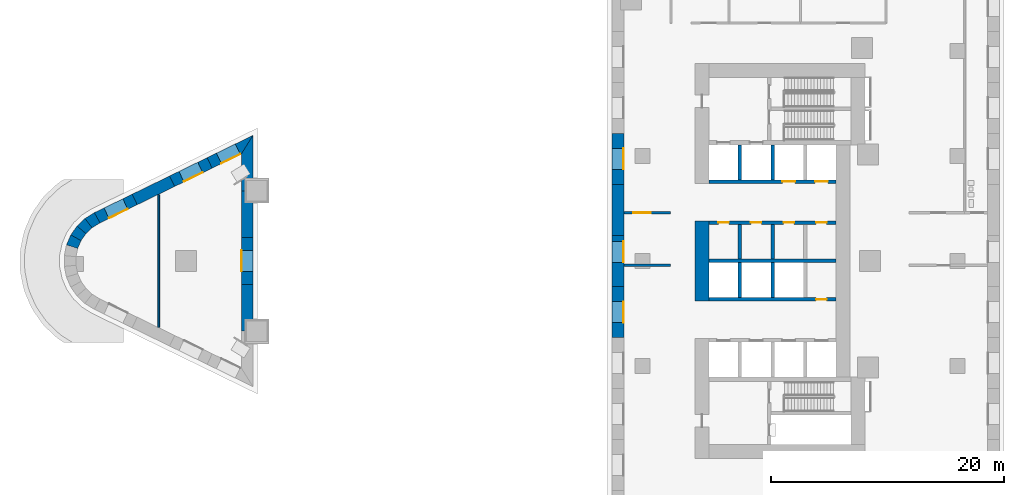
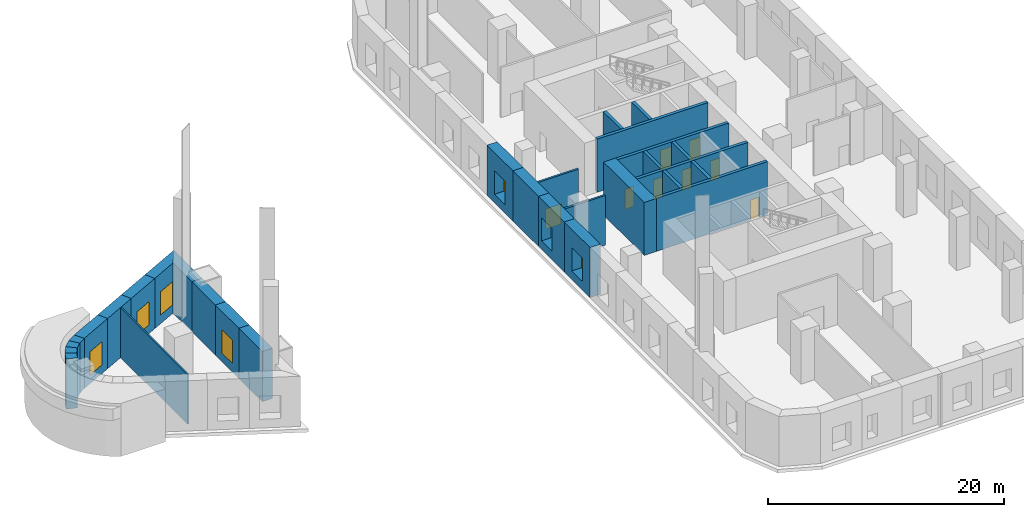
# One storey, part 3 of 12: 30 walls, 8 doors, 7 windows, 15 openings.
"""IFC4 building model written with IfcOpenShell, lengths in metres."""

from ifc_helpers import new_model, si_unit, direction, frame, frame_2d, origin, place, context, subcontext, project, spatial, polyline, rectangle, outline, extrude, material, layer, layer_set, type_object, element, fill, save


model = new_model("IFC4")

# Units and contexts
model_context = context("Model", 3, precision=1e-05, world=origin(), true_north=direction((0.0, 1.0)))
body_context = subcontext(model_context, "Body", "Model", "MODEL_VIEW")
ifc_project = project(units=[si_unit("LENGTHUNIT", "METRE"), si_unit("AREAUNIT", "SQUARE_METRE"), si_unit("VOLUMEUNIT", "CUBIC_METRE"), si_unit("PLANEANGLEUNIT", "RADIAN"), si_unit("MASSUNIT", "GRAM", prefix="KILO")], contexts=[model_context])

# Site, building, storey
site_placement = place(None, origin())
site = spatial("IfcSite", under=ifc_project, at=site_placement, CompositionType="ELEMENT")
building_placement = place(site_placement, origin())
building = spatial("IfcBuilding", under=site, at=building_placement, Name="Ostrand Prow Hotel Tower", CompositionType="ELEMENT")
storey_placement = place(building_placement, frame((0.0, 0.0, 8.0)))
storey = spatial("IfcBuildingStorey", under=building, at=storey_placement, Name="L01", CompositionType="ELEMENT", Elevation=8.0)

# Walls
ifc_material_1 = material(Name="Concrete C80/95", Category="concrete")
ifc_layer_1 = layer(ifc_material_1, 1.199951171875)
ifc_layer_set_1 = layer_set([ifc_layer_1], Name="Concrete C80/95")
wall_type_1 = type_object("IfcWallType", Name="Core wall 1200 C80/95", PredefinedType="SHEAR", material=ifc_layer_set_1)
wall_1_placement = place(storey_placement, frame((50.10009765625, -3.449951171875, 0.0), z_axis=(0.0, 0.0, 1.0), x_axis=(0.0, 1.0, 0.0)))
element("IfcWall", 1, at=wall_1_placement, inside=storey, type_object=wall_type_1, Name="Core wall CW-W-C", PredefinedType="SHEAR", context=body_context, shape_type="SweptSolid", body=[
    extrude(rectangle(XDim=6.89990234375, YDim=1.199951171875, at=frame_2d((3.449951171875, 0.0))), origin(), (0.0, 0.0, 1.0), 5.5),
])
ifc_material_2 = material(Name="Concrete C80/95", Category="concrete")
ifc_layer_2 = layer(ifc_material_2, 0.300048828125)
ifc_layer_set_2 = layer_set([ifc_layer_2], Name="Concrete C80/95")
wall_type_2 = type_object("IfcWallType", Name="Core wall 300 C80/95", PredefinedType="SHEAR", material=ifc_layer_set_2)
wall_2_placement = place(storey_placement, frame((50.699951171875, 0.0, 0.0), z_axis=(0.0, 0.0, 1.0), x_axis=(1.0, 0.0, 0.0)))
element("IfcWall", 2, at=wall_2_placement, inside=storey, type_object=wall_type_2, Name="Core wall PW-C", PredefinedType="SHEAR", context=body_context, shape_type="SweptSolid", body=[
    extrude(rectangle(XDim=10.900146484375, YDim=0.300048828125, at=frame_2d((5.4501953125, 0.0))), origin(), (0.0, 0.0, 1.0), 5.5),
])

# Wall, openings, doors
wall_3_placement = place(storey_placement, frame((50.699951171875, 3.300048828125, 0.0), z_axis=(0.0, 0.0, 1.0), x_axis=(1.0, 0.0, 0.0)))
wall_3 = element("IfcWall", 3, at=wall_3_placement, inside=storey, type_object=wall_type_2, Name="Core wall PW-L1-N", PredefinedType="SHEAR", context=body_context, shape_type="SweptSolid", body=[
    extrude(rectangle(XDim=10.900146484375, YDim=0.300048828125, at=frame_2d((5.4501953125, 0.0))), origin(), (0.0, 0.0, 1.0), 5.5),
])
opening_1_placement = place(wall_3_placement, frame((0.800048828125, 0.0, 0.0)))
opening_1 = element("IfcOpeningElement", 4, at=opening_1_placement, cuts=wall_3, Name="Opening FD2", PredefinedType="OPENING", context=body_context, shape_type="SweptSolid", body=[
    extrude(rectangle(XDim=0.89990234375, YDim=2.10009765625, at=frame_2d((0.449951171875, 1.050048828125))), frame((0.0, 0.159912109375, 0.0), z_axis=(0.0, -1.0, 0.0), x_axis=(1.0, 0.0, 0.0)), (0.0, 0.0, 1.0), 0.320068359375),
])
opening_2_placement = place(wall_3_placement, frame((3.60009765625, 0.0, 0.0)))
opening_2 = element("IfcOpeningElement", 5, at=opening_2_placement, cuts=wall_3, Name="Opening FD2", PredefinedType="OPENING", context=body_context, shape_type="SweptSolid", body=[
    extrude(rectangle(XDim=0.89990234375, YDim=2.10009765625, at=frame_2d((0.449951171875, 1.050048828125))), frame((0.0, 0.159912109375, 0.0), z_axis=(0.0, -1.0, 0.0), x_axis=(1.0, 0.0, 0.0)), (0.0, 0.0, 1.0), 0.320068359375),
])
opening_3_placement = place(wall_3_placement, frame((6.39990234375, 0.0, 0.0)))
opening_3 = element("IfcOpeningElement", 6, at=opening_3_placement, cuts=wall_3, Name="Opening FD2", PredefinedType="OPENING", context=body_context, shape_type="SweptSolid", body=[
    extrude(rectangle(XDim=0.89990234375, YDim=2.10009765625, at=frame_2d((0.449951171875, 1.050048828125))), frame((0.0, 0.159912109375, 0.0), z_axis=(0.0, -1.0, 0.0), x_axis=(1.0, 0.0, 0.0)), (0.0, 0.0, 1.0), 0.320068359375),
])
opening_4_placement = place(wall_3_placement, frame((9.199951171875, 0.0, 0.0)))
opening_4 = element("IfcOpeningElement", 7, at=opening_4_placement, cuts=wall_3, Name="Opening FD2", PredefinedType="OPENING", context=body_context, shape_type="SweptSolid", body=[
    extrude(rectangle(XDim=0.89990234375, YDim=2.10009765625, at=frame_2d((0.449951171875, 1.050048828125))), frame((0.0, 0.159912109375, 0.0), z_axis=(0.0, -1.0, 0.0), x_axis=(1.0, 0.0, 0.0)), (0.0, 0.0, 1.0), 0.320068359375),
])
ifc_material_3 = material(Name="Steel fire door", Category="steel")
door_type_1 = type_object("IfcDoorType", Name="Fire door 900 EI120", OperationType="SINGLE_SWING_LEFT", PredefinedType="DOOR", material=ifc_material_3)
door_1_placement = place(opening_1_placement, origin())
door_1 = element("IfcDoor", 8, at=door_1_placement, inside=storey, type_object=door_type_1, Name="DOOR", OperationType="SINGLE_SWING_LEFT", OverallHeight=2.10009765625, OverallWidth=0.89990234375, PredefinedType="DOOR", context=body_context, shape_type="SweptSolid", body=[
    extrude(rectangle(XDim=0.89990234375, YDim=2.10009765625, at=frame_2d((0.449951171875, 1.050048828125))), frame((0.0, 0.02490234375, 0.0), z_axis=(0.0, -1.0, 0.0), x_axis=(1.0, 0.0, 0.0)), (0.0, 0.0, 1.0), 0.050048828125),
])
fill(opening_1, door_1)
door_2_placement = place(opening_2_placement, origin())
door_2 = element("IfcDoor", 9, at=door_2_placement, inside=storey, type_object=door_type_1, Name="DOOR", OperationType="SINGLE_SWING_LEFT", OverallHeight=2.10009765625, OverallWidth=0.89990234375, PredefinedType="DOOR", context=body_context, shape_type="SweptSolid", body=[
    extrude(rectangle(XDim=0.89990234375, YDim=2.10009765625, at=frame_2d((0.449951171875, 1.050048828125))), frame((0.0, 0.02490234375, 0.0), z_axis=(0.0, -1.0, 0.0), x_axis=(1.0, 0.0, 0.0)), (0.0, 0.0, 1.0), 0.050048828125),
])
fill(opening_2, door_2)
door_3_placement = place(opening_3_placement, origin())
door_3 = element("IfcDoor", 10, at=door_3_placement, inside=storey, type_object=door_type_1, Name="DOOR", OperationType="SINGLE_SWING_LEFT", OverallHeight=2.10009765625, OverallWidth=0.89990234375, PredefinedType="DOOR", context=body_context, shape_type="SweptSolid", body=[
    extrude(rectangle(XDim=0.89990234375, YDim=2.10009765625, at=frame_2d((0.449951171875, 1.050048828125))), frame((0.0, 0.02490234375, 0.0), z_axis=(0.0, -1.0, 0.0), x_axis=(1.0, 0.0, 0.0)), (0.0, 0.0, 1.0), 0.050048828125),
])
fill(opening_3, door_3)
door_4_placement = place(opening_4_placement, origin())
door_4 = element("IfcDoor", 11, at=door_4_placement, inside=storey, type_object=door_type_1, Name="DOOR", OperationType="SINGLE_SWING_LEFT", OverallHeight=2.10009765625, OverallWidth=0.89990234375, PredefinedType="DOOR", context=body_context, shape_type="SweptSolid", body=[
    extrude(rectangle(XDim=0.89990234375, YDim=2.10009765625, at=frame_2d((0.449951171875, 1.050048828125))), frame((0.0, 0.02490234375, 0.0), z_axis=(0.0, -1.0, 0.0), x_axis=(1.0, 0.0, 0.0)), (0.0, 0.0, 1.0), 0.050048828125),
])
fill(opening_4, door_4)

wall_4_placement = place(storey_placement, frame((50.699951171875, 6.800048828125, 0.0), z_axis=(0.0, 0.0, 1.0), x_axis=(1.0, 0.0, 0.0)))
wall_4 = element("IfcWall", 12, at=wall_4_placement, inside=storey, type_object=wall_type_2, Name="Core wall PW-L2-N", PredefinedType="SHEAR", context=body_context, shape_type="SweptSolid", body=[
    extrude(rectangle(XDim=10.900146484375, YDim=0.300048828125, at=frame_2d((5.4501953125, 0.0))), origin(), (0.0, 0.0, 1.0), 5.5),
])
opening_5_placement = place(wall_4_placement, frame((6.300048828125, 0.0, 0.0)))
opening_5 = element("IfcOpeningElement", 13, at=opening_5_placement, cuts=wall_4, Name="Opening LD", PredefinedType="OPENING", context=body_context, shape_type="SweptSolid", body=[
    extrude(rectangle(XDim=1.10009765625, YDim=2.10009765625, at=frame_2d((0.550048828125, 1.050048828125))), frame((0.0, 0.159912109375, 0.0), z_axis=(0.0, -1.0, 0.0), x_axis=(1.0, 0.0, 0.0)), (0.0, 0.0, 1.0), 0.320068359375),
])
opening_6_placement = place(wall_4_placement, frame((9.10009765625, 0.0, 0.0)))
opening_6 = element("IfcOpeningElement", 14, at=opening_6_placement, cuts=wall_4, Name="Opening LD", PredefinedType="OPENING", context=body_context, shape_type="SweptSolid", body=[
    extrude(rectangle(XDim=1.10009765625, YDim=2.10009765625, at=frame_2d((0.550048828125, 1.050048828125))), frame((0.0, 0.159912109375, 0.0), z_axis=(0.0, -1.0, 0.0), x_axis=(1.0, 0.0, 0.0)), (0.0, 0.0, 1.0), 0.320068359375),
])
ifc_material_4 = material(Name="Stainless steel door", Category="steel")
door_type_2 = type_object("IfcDoorType", Name="Lift landing door 1100", OperationType="DOUBLE_DOOR_SLIDING", PredefinedType="DOOR", material=ifc_material_4)
door_5_placement = place(opening_5_placement, origin())
door_5 = element("IfcDoor", 15, at=door_5_placement, inside=storey, type_object=door_type_2, Name="LIFT LANDING DOOR", OperationType="DOUBLE_DOOR_SLIDING", OverallHeight=2.10009765625, OverallWidth=1.10009765625, PredefinedType="DOOR", context=body_context, shape_type="SweptSolid", body=[
    extrude(rectangle(XDim=1.10009765625, YDim=2.10009765625, at=frame_2d((0.550048828125, 1.050048828125))), frame((0.0, 0.02490234375, 0.0), z_axis=(0.0, -1.0, 0.0), x_axis=(1.0, 0.0, 0.0)), (0.0, 0.0, 1.0), 0.050048828125),
])
fill(opening_5, door_5)
door_6_placement = place(opening_6_placement, origin())
door_6 = element("IfcDoor", 16, at=door_6_placement, inside=storey, type_object=door_type_2, Name="LIFT LANDING DOOR", OperationType="DOUBLE_DOOR_SLIDING", OverallHeight=2.10009765625, OverallWidth=1.10009765625, PredefinedType="DOOR", context=body_context, shape_type="SweptSolid", body=[
    extrude(rectangle(XDim=1.10009765625, YDim=2.10009765625, at=frame_2d((0.550048828125, 1.050048828125))), frame((0.0, 0.02490234375, 0.0), z_axis=(0.0, -1.0, 0.0), x_axis=(1.0, 0.0, 0.0)), (0.0, 0.0, 1.0), 0.050048828125),
])
fill(opening_6, door_6)

# Walls
for number, where, z_axis, x_axis, name in (
    (17, (53.35009765625, 0.14990234375, 0.0), (0.0, 0.0, 1.0), (0.0, 1.0, 0.0), "Core wall PW-R1-NB"),
    (18, (53.35009765625, 6.949951171875, 0.0), (0.0, 0.0, 1.0), (0.0, 1.0, 0.0), "Core wall PW-R1-NA"),
    (19, (56.14990234375, 0.14990234375, 0.0), (0.0, 0.0, 1.0), (0.0, 1.0, 0.0), "Core wall PW-R2-NB"),
    (20, (56.14990234375, 6.949951171875, 0.0), (0.0, 0.0, 1.0), (0.0, 1.0, 0.0), "Core wall PW-R2-NA"),
):
    element("IfcWall", number, at=place(storey_placement, frame(where, z_axis=z_axis, x_axis=x_axis)), inside=storey, type_object=wall_type_2, Name=name, PredefinedType="SHEAR", context=body_context, shape_type="SweptSolid", body=[
        extrude(rectangle(XDim=3.0, YDim=0.300048828125, at=frame_2d((1.5, 0.0))), origin(), (0.0, 0.0, 1.0), 5.5),
    ])

# Wall, opening, door
wall_5_placement = place(storey_placement, frame((50.699951171875, -3.300048828125, 0.0), z_axis=(0.0, 0.0, 1.0), x_axis=(1.0, 0.0, 0.0)))
wall_5 = element("IfcWall", 21, at=wall_5_placement, inside=storey, type_object=wall_type_2, Name="Core wall PW-L1-S", PredefinedType="SHEAR", context=body_context, shape_type="SweptSolid", body=[
    extrude(rectangle(XDim=10.900146484375, YDim=0.300048828125, at=frame_2d((5.4501953125, 0.0))), origin(), (0.0, 0.0, 1.0), 5.5),
])
opening_7_placement = place(wall_5_placement, frame((9.199951171875, 0.0, 0.0)))
opening_7 = element("IfcOpeningElement", 22, at=opening_7_placement, cuts=wall_5, Name="Opening FD2", PredefinedType="OPENING", context=body_context, shape_type="SweptSolid", body=[
    extrude(rectangle(XDim=0.89990234375, YDim=2.10009765625, at=frame_2d((0.449951171875, 1.050048828125))), frame((0.0, 0.159912109375, 0.0), z_axis=(0.0, -1.0, 0.0), x_axis=(1.0, 0.0, 0.0)), (0.0, 0.0, 1.0), 0.320068359375),
])
door_7_placement = place(opening_7_placement, origin())
door_7 = element("IfcDoor", 23, at=door_7_placement, inside=storey, type_object=door_type_1, Name="DOOR", OperationType="SINGLE_SWING_LEFT", OverallHeight=2.10009765625, OverallWidth=0.89990234375, PredefinedType="DOOR", context=body_context, shape_type="SweptSolid", body=[
    extrude(rectangle(XDim=0.89990234375, YDim=2.10009765625, at=frame_2d((0.449951171875, 1.050048828125))), frame((0.0, 0.02490234375, 0.0), z_axis=(0.0, -1.0, 0.0), x_axis=(1.0, 0.0, 0.0)), (0.0, 0.0, 1.0), 0.050048828125),
])
fill(opening_7, door_7)

# Walls
for number, where, z_axis, x_axis, name in (
    (24, (53.35009765625, -3.14990234375, 0.0), (0.0, 0.0, 1.0), (0.0, 1.0, 0.0), "Core wall PW-R1-SB"),
    (25, (56.14990234375, -3.14990234375, 0.0), (0.0, 0.0, 1.0), (0.0, 1.0, 0.0), "Core wall PW-R2-SB"),
):
    element("IfcWall", number, at=place(storey_placement, frame(where, z_axis=z_axis, x_axis=x_axis)), inside=storey, type_object=wall_type_2, Name=name, PredefinedType="SHEAR", context=body_context, shape_type="SweptSolid", body=[
        extrude(rectangle(XDim=3.0, YDim=0.300048828125, at=frame_2d((1.5, 0.0))), origin(), (0.0, 0.0, 1.0), 5.5),
    ])
ifc_material_5 = material(Name="Plasterboard partition")
ifc_layer_3 = layer(ifc_material_5, 0.14990234375)
ifc_layer_set_3 = layer_set([ifc_layer_3], Name="Plasterboard partition")
wall_type_3 = type_object("IfcWallType", Name="Partition 150 room partition", PredefinedType="PARTITIONING", material=ifc_layer_set_3)
wall_6_placement = place(storey_placement, frame((3.512939453125, -5.6875, 0.0), z_axis=(0.0, 0.0, 1.0), x_axis=(0.0, 1.0, 0.0)))
element("IfcWall", 26, at=wall_6_placement, inside=storey, type_object=wall_type_3, Name="ROOM PARTITION", PredefinedType="PARTITIONING", context=body_context, shape_type="SweptSolid", body=[
    extrude(rectangle(XDim=11.375, YDim=0.14990234375, at=frame_2d((5.6875, 0.0))), origin(), (0.0, 0.0, 1.0), 5.14990234375),
])
ifc_material_6 = material(Name="Plasterboard partition")
ifc_layer_4 = layer(ifc_material_6, 0.199951171875)
ifc_layer_set_4 = layer_set([ifc_layer_4], Name="Plasterboard partition")
wall_type_4 = type_object("IfcWallType", Name="Partition 200 corridor wall", PredefinedType="PARTITIONING", material=ifc_layer_set_4)
wall_7_placement = place(storey_placement, frame((43.429931640625, -0.376220703125, 0.0), z_axis=(0.0, 0.0, 1.0), x_axis=(1.0, 0.0, 0.0)))
element("IfcWall", 27, at=wall_7_placement, inside=storey, type_object=wall_type_4, Name="CORRIDOR WALL", PredefinedType="PARTITIONING", context=body_context, shape_type="SweptSolid", body=[
    extrude(rectangle(XDim=3.970947265625, YDim=0.199951171875, at=frame_2d((1.9853515625, 0.0))), origin(), (0.0, 0.0, 1.0), 5.14990234375),
])

# Wall, opening, door
wall_8_placement = place(storey_placement, frame((43.429931640625, 4.138671875, 0.0), z_axis=(0.0, 0.0, 1.0), x_axis=(1.0, 0.0, 0.0)))
wall_8 = element("IfcWall", 28, at=wall_8_placement, inside=storey, type_object=wall_type_4, Name="CORRIDOR WALL", PredefinedType="PARTITIONING", context=body_context, shape_type="SweptSolid", body=[
    extrude(rectangle(XDim=3.970947265625, YDim=0.199951171875, at=frame_2d((1.9853515625, 0.0))), origin(), (0.0, 0.0, 1.0), 5.14990234375),
])
opening_8_placement = place(wall_8_placement, frame((0.7705078125, 0.0, 0.0)))
opening_8 = element("IfcOpeningElement", 29, at=opening_8_placement, cuts=wall_8, Name="Opening D15", PredefinedType="OPENING", context=body_context, shape_type="SweptSolid", body=[
    extrude(rectangle(XDim=1.5, YDim=2.10009765625, at=frame_2d((0.75, 1.050048828125))), frame((0.0, 0.10986328125, 0.0), z_axis=(0.0, -1.0, 0.0), x_axis=(1.0, 0.0, 0.0)), (0.0, 0.0, 1.0), 0.219970703125),
])
ifc_material_7 = material(Name="Timber door leaf", Category="wood")
door_type_3 = type_object("IfcDoorType", Name="Double door 1500", OperationType="DOUBLE_DOOR_SINGLE_SWING", PredefinedType="DOOR", material=ifc_material_7)
door_8_placement = place(opening_8_placement, origin())
door_8 = element("IfcDoor", 30, at=door_8_placement, inside=storey, type_object=door_type_3, Name="DOOR", OperationType="DOUBLE_DOOR_SINGLE_SWING", OverallHeight=2.10009765625, OverallWidth=1.5, PredefinedType="DOOR", context=body_context, shape_type="SweptSolid", body=[
    extrude(rectangle(XDim=1.5, YDim=2.10009765625, at=frame_2d((0.75, 1.050048828125))), frame((0.0, 0.02490234375, 0.0), z_axis=(0.0, -1.0, 0.0), x_axis=(1.0, 0.0, 0.0)), (0.0, 0.0, 1.0), 0.050048828125),
])
fill(opening_8, door_8)

# Wall
ifc_material_8 = material(Name="Precast concrete C40/50", Category="concrete")
ifc_layer_5 = layer(ifc_material_8, 1.0)
ifc_layer_set_5 = layer_set([ifc_layer_5], Name="Precast concrete C40/50")
wall_type_5 = type_object("IfcWallType", Name="Portal pier wall 1000 mm", PredefinedType="NOTDEFINED", material=ifc_layer_set_5)
wall_9_placement = place(storey_placement, frame((11.10009765625, -5.9833984375, 0.0), z_axis=(0.0, 0.0, 1.0), x_axis=(0.0, 1.0, 0.0)))
element("IfcWall", 31, at=wall_9_placement, inside=storey, type_object=wall_type_5, Name="Portal pier wall L01-PP001", PredefinedType="NOTDEFINED", context=body_context, shape_type="SweptSolid", body=[
    extrude(outline(polyline([(0.0, -0.5), (3.989013671875, -0.5), (3.989013671875, 0.5), (0.0, 0.5), (0.0, -0.5)])), origin(), (0.0, 0.0, 1.0), 5.199951171875),
])

# Wall, opening, window
wall_10_placement = place(storey_placement, frame((11.10009765625, -1.994384765625, 0.0), z_axis=(0.0, 0.0, 1.0), x_axis=(0.0, 1.0, 0.0)))
wall_10 = element("IfcWall", 32, at=wall_10_placement, inside=storey, type_object=wall_type_5, Name="Portal pier wall L01-PP002", PredefinedType="NOTDEFINED", context=body_context, shape_type="SweptSolid", body=[
    extrude(outline(polyline([(0.0, -0.5), (3.98876953125, -0.5), (3.98876953125, 0.5), (0.0, 0.5), (0.0, -0.5)])), origin(), (0.0, 0.0, 1.0), 5.199951171875),
])
opening_9_placement = place(wall_10_placement, frame((1.094482421875, 0.0, 0.89990234375)))
opening_9 = element("IfcOpeningElement", 33, at=opening_9_placement, cuts=wall_10, Name="Opening WP2", PredefinedType="OPENING", context=body_context, shape_type="SweptSolid", body=[
    extrude(rectangle(XDim=1.800048828125, YDim=2.39990234375, at=frame_2d((0.89990234375, 1.199951171875))), frame((0.0, 0.510009765625, 0.0), z_axis=(0.0, -1.0, 0.0), x_axis=(1.0, 0.0, 0.0)), (0.0, 0.0, 1.0), 1.02001953125),
])
ifc_material_9 = material(Name="Insulated glass in bronze anodised frame", Category="glass")
window_type = type_object("IfcWindowType", Name="Portal window 1800x2400", PartitioningType="SINGLE_PANEL", PredefinedType="WINDOW", material=ifc_material_9)
window_1_placement = place(opening_9_placement, origin())
window_1 = element("IfcWindow", 34, at=window_1_placement, inside=storey, type_object=window_type, Name="Portal window L01-PP002", OverallHeight=2.39990234375, OverallWidth=1.800048828125, PartitioningType="SINGLE_PANEL", PredefinedType="WINDOW", context=body_context, shape_type="SweptSolid", body=[
    extrude(rectangle(XDim=1.800048828125, YDim=2.39990234375, at=frame_2d((0.89990234375, 1.199951171875))), frame((0.0, 0.5, 0.0), z_axis=(0.0, -1.0, 0.0), x_axis=(1.0, 0.0, 0.0)), (0.0, 0.0, 1.0), 0.06005859375),
])
fill(opening_9, window_1)

# Walls
wall_11_placement = place(storey_placement, frame((11.10009765625, 1.994384765625, 0.0), z_axis=(0.0, 0.0, 1.0), x_axis=(0.0, 1.0, 0.0)))
element("IfcWall", 35, at=wall_11_placement, inside=storey, type_object=wall_type_5, Name="Portal pier wall L01-PP003", PredefinedType="NOTDEFINED", context=body_context, shape_type="SweptSolid", body=[
    extrude(outline(polyline([(0.0, -0.5), (3.989013671875, -0.5), (3.989013671875, 0.5), (0.0, 0.5), (0.0, -0.5)])), origin(), (0.0, 0.0, 1.0), 5.199951171875),
])
wall_12_placement = place(storey_placement, frame((11.10009765625, 5.9833984375, 0.0), z_axis=(0.0, 0.0, 1.0), x_axis=(0.0, 1.0, 0.0)))
element("IfcWall", 36, at=wall_12_placement, inside=storey, type_object=wall_type_5, Name="Portal pier wall L01-PP004", PredefinedType="NOTDEFINED", context=body_context, shape_type="SweptSolid", body=[
    extrude(outline(polyline([(0.0, -0.5), (4.7890625, -0.5), (3.18896484375, 0.5), (0.0, 0.5), (0.0, -0.5)])), origin(), (0.0, 0.0, 1.0), 5.199951171875),
])

# Wall, opening, window
wall_13_placement = place(storey_placement, frame((11.10009765625, 9.972412109375, 0.0), z_axis=(0.0, 0.0, 1.0), x_axis=(-0.89890161674, -0.438150525987, 0.0)))
wall_13 = element("IfcWall", 37, at=wall_13_placement, inside=storey, type_object=wall_type_5, Name="Portal pier wall L01-PP005", PredefinedType="NOTDEFINED", context=body_context, shape_type="SweptSolid", body=[
    extrude(outline(polyline([(-0.800048828125, -0.5), (3.57568359375, -0.5), (3.57568359375, 0.5), (0.800048828125, 0.5), (-0.800048828125, -0.5)])), origin(), (0.0, 0.0, 1.0), 5.199951171875),
])
opening_10_placement = place(wall_13_placement, frame((0.8876953125, 0.0, 0.89990234375)))
opening_10 = element("IfcOpeningElement", 38, at=opening_10_placement, cuts=wall_13, Name="Opening WP2", PredefinedType="OPENING", context=body_context, shape_type="SweptSolid", body=[
    extrude(rectangle(XDim=1.800048828125, YDim=2.39990234375, at=frame_2d((0.89990234375, 1.199951171875))), frame((0.0, 0.510009765625, 0.0), z_axis=(0.0, -1.0, 0.0), x_axis=(1.0, 0.0, 0.0)), (0.0, 0.0, 1.0), 1.02001953125),
])
window_2_placement = place(opening_10_placement, origin())
window_2 = element("IfcWindow", 39, at=window_2_placement, inside=storey, type_object=window_type, Name="Portal window L01-PP005", OverallHeight=2.39990234375, OverallWidth=1.800048828125, PartitioningType="SINGLE_PANEL", PredefinedType="WINDOW", context=body_context, shape_type="SweptSolid", body=[
    extrude(rectangle(XDim=1.800048828125, YDim=2.39990234375, at=frame_2d((0.89990234375, 1.199951171875))), frame((0.0, 0.5, 0.0), z_axis=(0.0, -1.0, 0.0), x_axis=(1.0, 0.0, 0.0)), (0.0, 0.0, 1.0), 0.06005859375),
])
fill(opening_10, window_2)

wall_14_placement = place(storey_placement, frame((7.885986328125, 8.40576171875, 0.0), z_axis=(0.0, 0.0, 1.0), x_axis=(-0.898888507486, -0.43817741967, 0.0)))
wall_14 = element("IfcWall", 40, at=wall_14_placement, inside=storey, type_object=wall_type_5, Name="Portal pier wall L01-PP006", PredefinedType="NOTDEFINED", context=body_context, shape_type="SweptSolid", body=[
    extrude(outline(polyline([(0.0, -0.5), (3.575439453125, -0.5), (3.575439453125, 0.5), (0.0, 0.5), (0.0, -0.5)])), origin(), (0.0, 0.0, 1.0), 5.199951171875),
])
opening_11_placement = place(wall_14_placement, frame((0.8876953125, 0.0, 0.89990234375)))
opening_11 = element("IfcOpeningElement", 41, at=opening_11_placement, cuts=wall_14, Name="Opening WP2", PredefinedType="OPENING", context=body_context, shape_type="SweptSolid", body=[
    extrude(rectangle(XDim=1.800048828125, YDim=2.39990234375, at=frame_2d((0.89990234375, 1.199951171875))), frame((0.0, 0.510009765625, 0.0), z_axis=(0.0, -1.0, 0.0), x_axis=(1.0, 0.0, 0.0)), (0.0, 0.0, 1.0), 1.02001953125),
])
window_3_placement = place(opening_11_placement, origin())
window_3 = element("IfcWindow", 42, at=window_3_placement, inside=storey, type_object=window_type, Name="Portal window L01-PP006", OverallHeight=2.39990234375, OverallWidth=1.800048828125, PartitioningType="SINGLE_PANEL", PredefinedType="WINDOW", context=body_context, shape_type="SweptSolid", body=[
    extrude(rectangle(XDim=1.800048828125, YDim=2.39990234375, at=frame_2d((0.89990234375, 1.199951171875))), frame((0.0, 0.5, 0.0), z_axis=(0.0, -1.0, 0.0), x_axis=(1.0, 0.0, 0.0)), (0.0, 0.0, 1.0), 0.06005859375),
])
fill(opening_11, window_3)

# Wall
wall_15_placement = place(storey_placement, frame((4.672119140625, 6.839111328125, 0.0), z_axis=(0.0, 0.0, 1.0), x_axis=(-0.898848496883, -0.438259488946, 0.0)))
element("IfcWall", 43, at=wall_15_placement, inside=storey, type_object=wall_type_5, Name="Portal pier wall L01-PP007", PredefinedType="NOTDEFINED", context=body_context, shape_type="SweptSolid", body=[
    extrude(outline(polyline([(0.0, -0.5), (3.5751953125, -0.5), (3.5751953125, 0.5), (0.0, 0.5), (0.0, -0.5)])), origin(), (0.0, 0.0, 1.0), 5.199951171875),
])

# Wall, opening, window
wall_16_placement = place(storey_placement, frame((1.45849609375, 5.272216796875, 0.0), z_axis=(0.0, 0.0, 1.0), x_axis=(-0.898874723623, -0.438205695117, 0.0)))
wall_16 = element("IfcWall", 44, at=wall_16_placement, inside=storey, type_object=wall_type_5, Name="Portal pier wall L01-PP008", PredefinedType="NOTDEFINED", context=body_context, shape_type="SweptSolid", body=[
    extrude(outline(polyline([(0.0, -0.5), (3.60107421875, -0.5), (3.55029296875, 0.5), (0.0, 0.5), (0.0, -0.5)])), origin(), (0.0, 0.0, 1.0), 5.199951171875),
])
opening_12_placement = place(wall_16_placement, frame((0.8876953125, 0.0, 0.89990234375)))
opening_12 = element("IfcOpeningElement", 45, at=opening_12_placement, cuts=wall_16, Name="Opening WP2", PredefinedType="OPENING", context=body_context, shape_type="SweptSolid", body=[
    extrude(rectangle(XDim=1.800048828125, YDim=2.39990234375, at=frame_2d((0.89990234375, 1.199951171875))), frame((0.0, 0.510009765625, 0.0), z_axis=(0.0, -1.0, 0.0), x_axis=(1.0, 0.0, 0.0)), (0.0, 0.0, 1.0), 1.02001953125),
])
window_4_placement = place(opening_12_placement, origin())
window_4 = element("IfcWindow", 46, at=window_4_placement, inside=storey, type_object=window_type, Name="Portal window L01-PP008", OverallHeight=2.39990234375, OverallWidth=1.800048828125, PartitioningType="SINGLE_PANEL", PredefinedType="WINDOW", context=body_context, shape_type="SweptSolid", body=[
    extrude(rectangle(XDim=1.800048828125, YDim=2.39990234375, at=frame_2d((0.89990234375, 1.199951171875))), frame((0.0, 0.5, 0.0), z_axis=(0.0, -1.0, 0.0), x_axis=(1.0, 0.0, 0.0)), (0.0, 0.0, 1.0), 0.06005859375),
])
fill(opening_12, window_4)

# Walls
wall_17_placement = place(storey_placement, frame((-1.755615234375, 3.705322265625, 0.0), z_axis=(0.0, 0.0, 1.0), x_axis=(-0.849777890555, -0.527140907846, 0.0)))
element("IfcWall", 47, at=wall_17_placement, inside=storey, type_object=wall_type_5, Name="Portal pier wall L01-PP009", PredefinedType="NOTDEFINED", context=body_context, shape_type="SweptSolid", body=[
    extrude(outline(polyline([(-0.025390625, -0.5), (0.92724609375, -0.5), (0.8251953125, 0.5), (0.025390625, 0.5), (-0.025390625, -0.5)])), origin(), (0.0, 0.0, 1.0), 5.199951171875),
])
wall_18_placement = place(storey_placement, frame((-2.500244140625, 3.243408203125, 0.0), z_axis=(0.0, 0.0, 1.0), x_axis=(-0.726099436492, -0.687589709293, 0.0)))
element("IfcWall", 48, at=wall_18_placement, inside=storey, type_object=wall_type_5, Name="Portal pier wall L01-PP010", PredefinedType="NOTDEFINED", context=body_context, shape_type="SweptSolid", body=[
    extrude(outline(polyline([(-0.051025390625, -0.5), (0.881591796875, -0.5), (0.779541015625, 0.5), (0.051025390625, 0.5), (-0.051025390625, -0.5)])), origin(), (0.0, 0.0, 1.0), 5.199951171875),
])
wall_19_placement = place(storey_placement, frame((-3.103271484375, 2.67236328125, 0.0), z_axis=(0.0, 0.0, 1.0), x_axis=(-0.572416108775, -0.819963290895, 0.0)))
element("IfcWall", 49, at=wall_19_placement, inside=storey, type_object=wall_type_5, Name="Portal pier wall L01-PP011", PredefinedType="NOTDEFINED", context=body_context, shape_type="SweptSolid", body=[
    extrude(outline(polyline([(-0.051025390625, -0.5), (0.88134765625, -0.5), (0.779296875, 0.5), (0.051025390625, 0.5), (-0.051025390625, -0.5)])), origin(), (0.0, 0.0, 1.0), 5.199951171875),
])
wall_20_placement = place(storey_placement, frame((-3.57861328125, 1.991455078125, 0.0), z_axis=(0.0, 0.0, 1.0), x_axis=(-0.395089773053, -0.91864251547, 0.0)))
element("IfcWall", 50, at=wall_20_placement, inside=storey, type_object=wall_type_5, Name="Portal pier wall L01-PP012", PredefinedType="NOTDEFINED", context=body_context, shape_type="SweptSolid", body=[
    extrude(outline(polyline([(-0.051025390625, -0.5), (0.881591796875, -0.5), (0.779541015625, 0.5), (0.051025390625, 0.5), (-0.051025390625, -0.5)])), origin(), (0.0, 0.0, 1.0), 5.199951171875),
])

# Wall, opening, window
wall_21_placement = place(storey_placement, frame((42.89990234375, 10.940185546875, 0.0), z_axis=(0.0, 0.0, 1.0), x_axis=(0.0, -1.0, 0.0)))
wall_21 = element("IfcWall", 51, at=wall_21_placement, inside=storey, type_object=wall_type_5, Name="Portal pier wall L01-PP138", PredefinedType="NOTDEFINED", context=body_context, shape_type="SweptSolid", body=[
    extrude(outline(polyline([(0.0, -0.5), (4.3759765625, -0.5), (4.3759765625, 0.5), (0.0, 0.5), (0.0, -0.5)])), origin(), (0.0, 0.0, 1.0), 5.199951171875),
])
opening_13_placement = place(wall_21_placement, frame((1.2880859375, 0.0, 0.89990234375)))
opening_13 = element("IfcOpeningElement", 52, at=opening_13_placement, cuts=wall_21, Name="Opening WP2", PredefinedType="OPENING", context=body_context, shape_type="SweptSolid", body=[
    extrude(rectangle(XDim=1.800048828125, YDim=2.39990234375, at=frame_2d((0.89990234375, 1.199951171875))), frame((0.0, 0.510009765625, 0.0), z_axis=(0.0, -1.0, 0.0), x_axis=(1.0, 0.0, 0.0)), (0.0, 0.0, 1.0), 1.02001953125),
])
window_5_placement = place(opening_13_placement, origin())
window_5 = element("IfcWindow", 53, at=window_5_placement, inside=storey, type_object=window_type, Name="Portal window L01-PP138", OverallHeight=2.39990234375, OverallWidth=1.800048828125, PartitioningType="SINGLE_PANEL", PredefinedType="WINDOW", context=body_context, shape_type="SweptSolid", body=[
    extrude(rectangle(XDim=1.800048828125, YDim=2.39990234375, at=frame_2d((0.89990234375, 1.199951171875))), frame((0.0, 0.5, 0.0), z_axis=(0.0, -1.0, 0.0), x_axis=(1.0, 0.0, 0.0)), (0.0, 0.0, 1.0), 0.06005859375),
])
fill(opening_13, window_5)

# Wall
wall_22_placement = place(storey_placement, frame((42.89990234375, 6.564208984375, 0.0), z_axis=(0.0, 0.0, 1.0), x_axis=(0.0, -1.0, 0.0)))
element("IfcWall", 54, at=wall_22_placement, inside=storey, type_object=wall_type_5, Name="Portal pier wall L01-PP139", PredefinedType="NOTDEFINED", context=body_context, shape_type="SweptSolid", body=[
    extrude(outline(polyline([(0.0, -0.5), (4.376220703125, -0.5), (4.376220703125, 0.5), (0.0, 0.5), (0.0, -0.5)])), origin(), (0.0, 0.0, 1.0), 5.199951171875),
])

# Wall, opening, window
wall_23_placement = place(storey_placement, frame((42.89990234375, 2.18798828125, 0.0), z_axis=(0.0, 0.0, 1.0), x_axis=(0.0, -1.0, 0.0)))
wall_23 = element("IfcWall", 55, at=wall_23_placement, inside=storey, type_object=wall_type_5, Name="Portal pier wall L01-PP140", PredefinedType="NOTDEFINED", context=body_context, shape_type="SweptSolid", body=[
    extrude(outline(polyline([(0.0, -0.5), (4.3759765625, -0.5), (4.3759765625, 0.5), (0.0, 0.5), (0.0, -0.5)])), origin(), (0.0, 0.0, 1.0), 5.199951171875),
])
opening_14_placement = place(wall_23_placement, frame((0.508056640625, 0.0, 0.89990234375)))
opening_14 = element("IfcOpeningElement", 56, at=opening_14_placement, cuts=wall_23, Name="Opening WP2", PredefinedType="OPENING", context=body_context, shape_type="SweptSolid", body=[
    extrude(rectangle(XDim=1.800048828125, YDim=2.39990234375, at=frame_2d((0.89990234375, 1.199951171875))), frame((0.0, 0.510009765625, 0.0), z_axis=(0.0, -1.0, 0.0), x_axis=(1.0, 0.0, 0.0)), (0.0, 0.0, 1.0), 1.02001953125),
])
window_6_placement = place(opening_14_placement, origin())
window_6 = element("IfcWindow", 57, at=window_6_placement, inside=storey, type_object=window_type, Name="Portal window L01-PP140", OverallHeight=2.39990234375, OverallWidth=1.800048828125, PartitioningType="SINGLE_PANEL", PredefinedType="WINDOW", context=body_context, shape_type="SweptSolid", body=[
    extrude(rectangle(XDim=1.800048828125, YDim=2.39990234375, at=frame_2d((0.89990234375, 1.199951171875))), frame((0.0, 0.5, 0.0), z_axis=(0.0, -1.0, 0.0), x_axis=(1.0, 0.0, 0.0)), (0.0, 0.0, 1.0), 0.06005859375),
])
fill(opening_14, window_6)

wall_24_placement = place(storey_placement, frame((42.89990234375, -2.18798828125, 0.0), z_axis=(0.0, 0.0, 1.0), x_axis=(0.0, -1.0, 0.0)))
wall_24 = element("IfcWall", 58, at=wall_24_placement, inside=storey, type_object=wall_type_5, Name="Portal pier wall L01-PP141", PredefinedType="NOTDEFINED", context=body_context, shape_type="SweptSolid", body=[
    extrude(outline(polyline([(0.0, -0.5), (4.376220703125, -0.5), (4.376220703125, 0.5), (0.0, 0.5), (0.0, -0.5)])), origin(), (0.0, 0.0, 1.0), 5.199951171875),
])
opening_15_placement = place(wall_24_placement, frame((1.2880859375, 0.0, 0.89990234375)))
opening_15 = element("IfcOpeningElement", 59, at=opening_15_placement, cuts=wall_24, Name="Opening WP2", PredefinedType="OPENING", context=body_context, shape_type="SweptSolid", body=[
    extrude(rectangle(XDim=1.800048828125, YDim=2.39990234375, at=frame_2d((0.89990234375, 1.199951171875))), frame((0.0, 0.510009765625, 0.0), z_axis=(0.0, -1.0, 0.0), x_axis=(1.0, 0.0, 0.0)), (0.0, 0.0, 1.0), 1.02001953125),
])
window_7_placement = place(opening_15_placement, origin())
window_7 = element("IfcWindow", 60, at=window_7_placement, inside=storey, type_object=window_type, Name="Portal window L01-PP141", OverallHeight=2.39990234375, OverallWidth=1.800048828125, PartitioningType="SINGLE_PANEL", PredefinedType="WINDOW", context=body_context, shape_type="SweptSolid", body=[
    extrude(rectangle(XDim=1.800048828125, YDim=2.39990234375, at=frame_2d((0.89990234375, 1.199951171875))), frame((0.0, 0.5, 0.0), z_axis=(0.0, -1.0, 0.0), x_axis=(1.0, 0.0, 0.0)), (0.0, 0.0, 1.0), 0.06005859375),
])
fill(opening_15, window_7)

save(model, "model.ifc")
